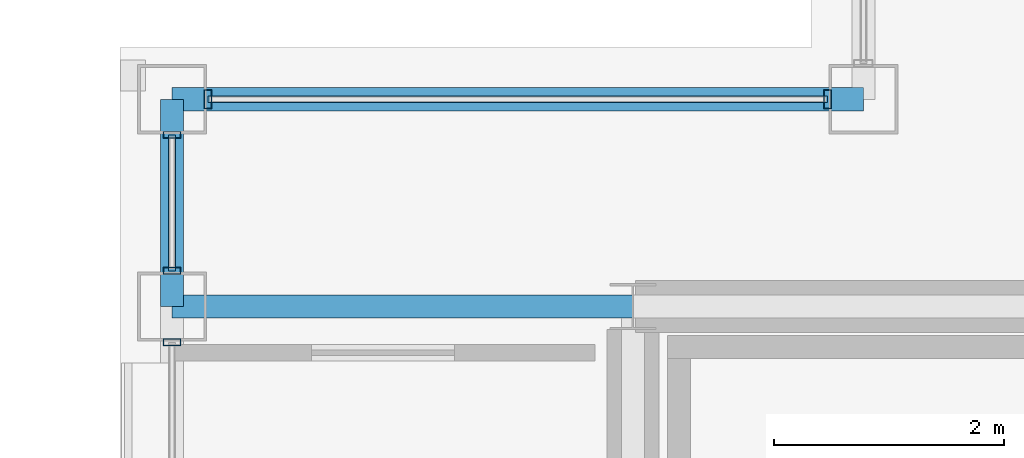
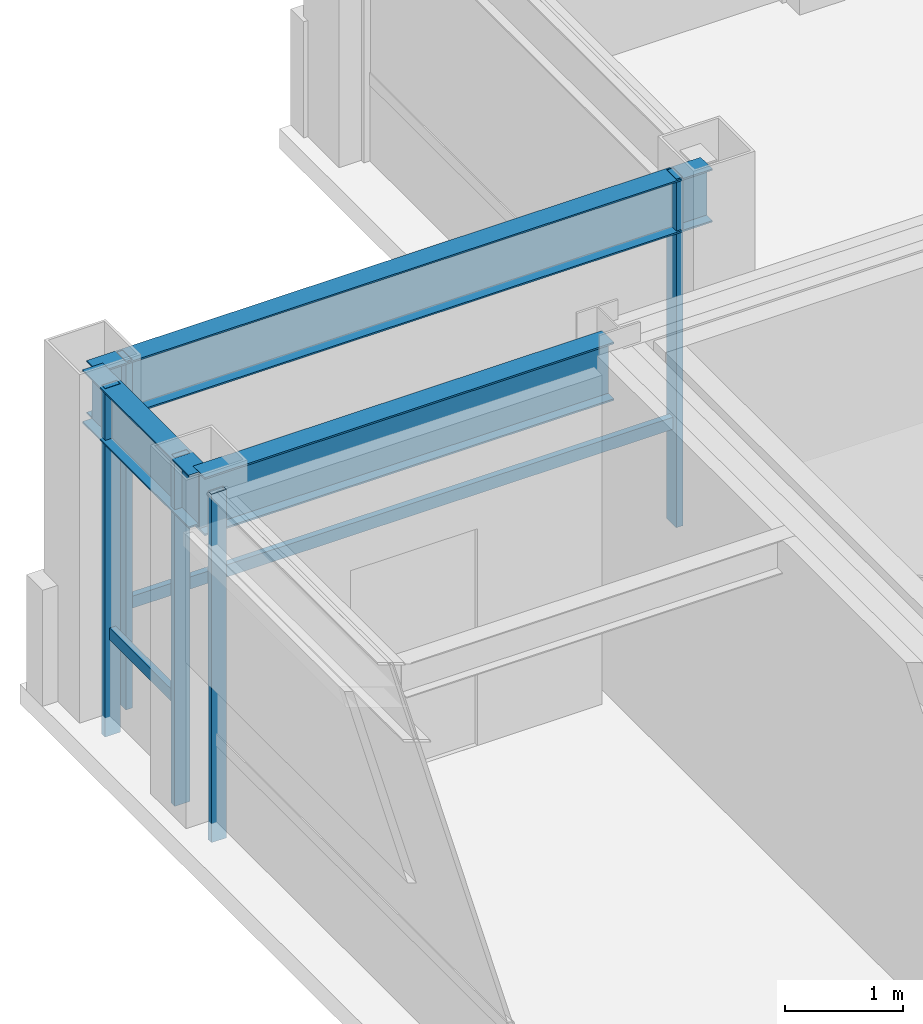
# One storey, part 12 of 28: 7 members, 3 beams, 3 elements without a shape of their own.
"""IFC4 building model written with IfcOpenShell, lengths in metres."""

from ifc_helpers import new_model, si_unit, direction, frame, origin, origin_2d, place, context, subcontext, project, spatial, hollow_rectangle, i_section, extrude, material, layer, layer_set, material_profile, profile_set, type_object, element, aggregate, save


model = new_model("IFC4")

# Units and contexts
model_context = context("Model", 3, precision=1e-05, world=origin(), true_north=direction((0.0, 1.0)))
body_context = subcontext(model_context, "Body", "Model", "MODEL_VIEW")
ifc_project = project(units=[si_unit("LENGTHUNIT", "METRE"), si_unit("AREAUNIT", "SQUARE_METRE"), si_unit("VOLUMEUNIT", "CUBIC_METRE"), si_unit("PLANEANGLEUNIT", "RADIAN"), si_unit("MASSUNIT", "GRAM", prefix="KILO")], contexts=[model_context])

# Site, building, storey
site_placement = place(None, origin())
site = spatial("IfcSite", under=ifc_project, at=site_placement, CompositionType="ELEMENT")
building_placement = place(site_placement, origin())
building = spatial("IfcBuilding", under=site, at=building_placement, Name="Brelmoor Portico Tower", CompositionType="ELEMENT")
storey_placement = place(building_placement, frame((0.0, 0.0, 265.199951171875)))
storey = spatial("IfcBuildingStorey", under=building, at=storey_placement, Name="L70", CompositionType="ELEMENT", Elevation=265.199951171875)

# Beams
ifc_material_1 = material(Name="Steel Q355B", Category="steel")
ifc_material_profile_1 = material_profile(ifc_material_1, i_section(OverallWidth=0.199951171875, OverallDepth=0.60009765625, WebThickness=0.010986328125, FlangeThickness=0.01708984375, at=origin_2d()), Name="HN 600x200x11x17")
ifc_profile_set_1 = profile_set([ifc_material_profile_1], Name="Steel Q355B")
beam_type_1 = type_object("IfcBeamType", Name="BM-PG-600", PredefinedType="BEAM", material=ifc_profile_set_1)
beam_1_placement = place(storey_placement, frame((-18.550048828125, 9.75, 3.10009765625), z_axis=(1.0, 0.0, 0.0), x_axis=(0.0, 1.0, 0.0)))
element("IfcBeam", 1, at=beam_1_placement, inside=storey, type_object=beam_type_1, Name="L70 Primary Floor Girder PG-19", PredefinedType="BEAM", context=body_context, shape_type="SweptSolid", body=[
    extrude(i_section(OverallWidth=0.199951171875, OverallDepth=0.60009765625, WebThickness=0.010986328125, FlangeThickness=0.01708984375, at=origin_2d()), origin(), (0.0, 0.0, 1.0), 4.0),
])
ifc_material_profile_2 = material_profile(ifc_material_1, i_section(OverallWidth=0.199951171875, OverallDepth=0.550048828125, WebThickness=0.010009765625, FlangeThickness=0.01611328125, at=origin_2d()), Name="HN 550x200x10x16")
ifc_profile_set_2 = profile_set([ifc_material_profile_2], Name="Steel Q355B")
beam_type_2 = type_object("IfcBeamType", Name="BM-SP-550", PredefinedType="SPANDREL", material=ifc_profile_set_2)
beam_2_placement = place(storey_placement, frame((-18.550048828125, 11.550048828125, 3.125), z_axis=(1.0, 0.0, 0.0), x_axis=(0.0, 1.0, 0.0)))
element("IfcBeam", 2, at=beam_2_placement, inside=storey, type_object=beam_type_2, Name="L70 Perimeter Spandrel Beam SP-06", PredefinedType="SPANDREL", context=body_context, shape_type="SweptSolid", body=[
    extrude(i_section(OverallWidth=0.199951171875, OverallDepth=0.550048828125, WebThickness=0.010009765625, FlangeThickness=0.01611328125, at=origin_2d()), origin(), (0.0, 0.0, 1.0), 6.0),
])
beam_3_placement = place(storey_placement, frame((-18.550048828125, 9.75, 3.125), z_axis=(0.0, 1.0, 0.0), x_axis=(-1.0, 0.0, 0.0)))
element("IfcBeam", 3, at=beam_3_placement, inside=storey, type_object=beam_type_2, Name="L70 Perimeter Spandrel Beam SP-13", PredefinedType="SPANDREL", context=body_context, shape_type="SweptSolid", body=[
    extrude(i_section(OverallWidth=0.199951171875, OverallDepth=0.550048828125, WebThickness=0.010009765625, FlangeThickness=0.01611328125, at=origin_2d()), origin(), (0.0, 0.0, 1.0), 1.800048828125),
])

# Curtain wall, member
ifc_material_2 = material(Name="Anodised Aluminium Alloy 6063-T6", Category="aluminium")
ifc_layer_1 = layer(ifc_material_2, 0.179931640625)
ifc_layer_set_1 = layer_set([ifc_layer_1], Name="Anodised Aluminium Alloy 6063-T6")
curtain_wall_type_1 = type_object("IfcCurtainWallType", Name="CW-TOWER-Z4", PredefinedType="NOTDEFINED", material=ifc_layer_set_1)
curtain_wall_1_placement = place(storey_placement, origin())
curtain_wall_1 = element("IfcCurtainWall", 4, at=curtain_wall_1_placement, inside=storey, type_object=curtain_wall_type_1, Name="L70 Curtain Wall CW-L70-3R-1", PredefinedType="NOTDEFINED")
ifc_material_profile_3 = material_profile(ifc_material_2, hollow_rectangle(XDim=0.06005859375, YDim=0.14990234375, WallThickness=0.00390625, at=origin_2d()), Name="ALU MULLION 60x150")
ifc_profile_set_3 = profile_set([ifc_material_profile_3], Name="Anodised Aluminium Alloy 6063-T6")
member_type_1 = type_object("IfcMemberType", Name="MB-CW-MULL-150", PredefinedType="MULLION", material=ifc_profile_set_3)
member_1_placement = place(storey_placement, frame((-18.550048828125, 9.43994140625, -0.199951171875), z_axis=(0.0, 0.0, 1.0), x_axis=(0.0, 1.0, 0.0)))
member_1 = element("IfcMember", 5, at=member_1_placement, type_object=member_type_1, Name="CW-L70-3R-1 Mullion 01", PredefinedType="MULLION", context=body_context, shape_type="SweptSolid", body=[
    extrude(hollow_rectangle(XDim=0.06005859375, YDim=0.14990234375, WallThickness=0.00390625, at=origin_2d()), origin(), (0.0, 0.0, 1.0), 3.60009765625),
])
aggregate(curtain_wall_1, [member_1])

# Curtain wall, members
curtain_wall_2_placement = place(storey_placement, origin())
curtain_wall_2 = element("IfcCurtainWall", 6, at=curtain_wall_2_placement, inside=storey, type_object=curtain_wall_type_1, Name="L70 Curtain Wall CW-L70-3R-2", PredefinedType="NOTDEFINED")
member_2_placement = place(storey_placement, frame((-18.550048828125, 10.06005859375, -0.199951171875), z_axis=(0.0, 0.0, 1.0), x_axis=(0.0, 1.0, 0.0)))
member_2 = element("IfcMember", 7, at=member_2_placement, type_object=member_type_1, Name="CW-L70-3R-2 Mullion 00", PredefinedType="MULLION", context=body_context, shape_type="SweptSolid", body=[
    extrude(hollow_rectangle(XDim=0.06005859375, YDim=0.14990234375, WallThickness=0.00390625, at=origin_2d()), origin(), (0.0, 0.0, 1.0), 3.60009765625),
])
member_3_placement = place(storey_placement, frame((-18.550048828125, 11.239990234375, -0.199951171875), z_axis=(0.0, 0.0, 1.0), x_axis=(0.0, 1.0, 0.0)))
member_3 = element("IfcMember", 8, at=member_3_placement, type_object=member_type_1, Name="CW-L70-3R-2 Mullion 01", PredefinedType="MULLION", context=body_context, shape_type="SweptSolid", body=[
    extrude(hollow_rectangle(XDim=0.06005859375, YDim=0.14990234375, WallThickness=0.00390625, at=origin_2d()), origin(), (0.0, 0.0, 1.0), 3.60009765625),
])

ifc_layer_2 = layer(ifc_material_2, 0.179931640625)
ifc_layer_set_2 = layer_set([ifc_layer_2], Name="Anodised Aluminium Alloy 6063-T6")
curtain_wall_type_2 = type_object("IfcCurtainWallType", Name="CW-NOTCH-CHAMFER", PredefinedType="NOTDEFINED", material=ifc_layer_set_2)
curtain_wall_3_placement = place(storey_placement, origin())
curtain_wall_3 = element("IfcCurtainWall", 9, at=curtain_wall_3_placement, inside=storey, type_object=curtain_wall_type_2, Name="L70 Curtain Wall CWN-L70-NWH", PredefinedType="NOTDEFINED")
ifc_material_profile_4 = material_profile(ifc_material_2, hollow_rectangle(XDim=0.06494140625, YDim=0.1650390625, WallThickness=0.00390625, at=origin_2d()), Name="ALU MULLION 65x165")
ifc_profile_set_4 = profile_set([ifc_material_profile_4], Name="Anodised Aluminium Alloy 6063-T6")
member_type_2 = type_object("IfcMemberType", Name="MB-CW-MULL-165", PredefinedType="MULLION", material=ifc_profile_set_4)
member_4_placement = place(storey_placement, frame((-18.239990234375, 11.550048828125, -0.199951171875), z_axis=(0.0, 0.0, 1.0), x_axis=(1.0, 0.0, 0.0)))
member_4 = element("IfcMember", 10, at=member_4_placement, type_object=member_type_2, Name="CWN-L70-NWH Mullion 00", PredefinedType="MULLION", context=body_context, shape_type="SweptSolid", body=[
    extrude(hollow_rectangle(XDim=0.06494140625, YDim=0.1650390625, WallThickness=0.00390625, at=origin_2d()), origin(), (0.0, 0.0, 1.0), 3.60009765625),
])
member_5_placement = place(storey_placement, frame((-12.860107421875, 11.550048828125, -0.199951171875), z_axis=(0.0, 0.0, 1.0), x_axis=(1.0, 0.0, 0.0)))
member_5 = element("IfcMember", 11, at=member_5_placement, type_object=member_type_2, Name="CWN-L70-NWH Mullion 01", PredefinedType="MULLION", context=body_context, shape_type="SweptSolid", body=[
    extrude(hollow_rectangle(XDim=0.06494140625, YDim=0.1650390625, WallThickness=0.00390625, at=origin_2d()), origin(), (0.0, 0.0, 1.0), 3.60009765625),
])

# Member
ifc_material_profile_5 = material_profile(ifc_material_2, hollow_rectangle(XDim=0.06005859375, YDim=0.125, WallThickness=0.00341796875, at=origin_2d()), Name="ALU TRANSOM 60x125")
ifc_profile_set_5 = profile_set([ifc_material_profile_5], Name="Anodised Aluminium Alloy 6063-T6")
member_type_3 = type_object("IfcMemberType", Name="MB-CW-TRAN-125", PredefinedType="USERDEFINED", material=ifc_profile_set_5)
member_6_placement = place(storey_placement, frame((-18.550048828125, 10.06005859375, 0.85009765625), z_axis=(0.0, 1.0, 0.0), x_axis=(-1.0, 0.0, 0.0)))
member_6 = element("IfcMember", 12, at=member_6_placement, type_object=member_type_3, Name="CW-L70-3R-2 Transom 1-00", ObjectType="TRANSOM", PredefinedType="USERDEFINED", context=body_context, shape_type="SweptSolid", body=[
    extrude(hollow_rectangle(XDim=0.06005859375, YDim=0.125, WallThickness=0.00341796875, at=origin_2d()), origin(), (0.0, 0.0, 1.0), 1.179931640625),
])

aggregate(curtain_wall_2, [member_2, member_3, member_6])

member_7_placement = place(storey_placement, frame((-18.239990234375, 11.550048828125, 0.85009765625), z_axis=(1.0, 0.0, 0.0), x_axis=(0.0, 1.0, 0.0)))
member_7 = element("IfcMember", 13, at=member_7_placement, type_object=member_type_3, Name="CWN-L70-NWH Transom 1-00", ObjectType="TRANSOM", PredefinedType="USERDEFINED", context=body_context, shape_type="SweptSolid", body=[
    extrude(hollow_rectangle(XDim=0.06005859375, YDim=0.125, WallThickness=0.00341796875, at=origin_2d()), origin(), (0.0, 0.0, 1.0), 5.3798828125),
])

aggregate(curtain_wall_3, [member_4, member_5, member_7])

save(model, "model.ifc")
